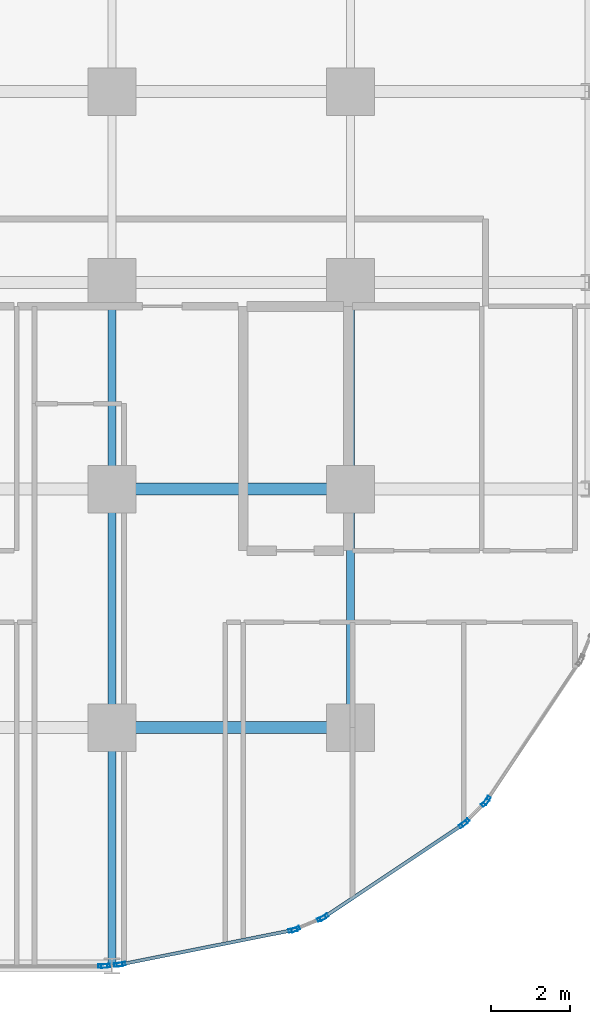
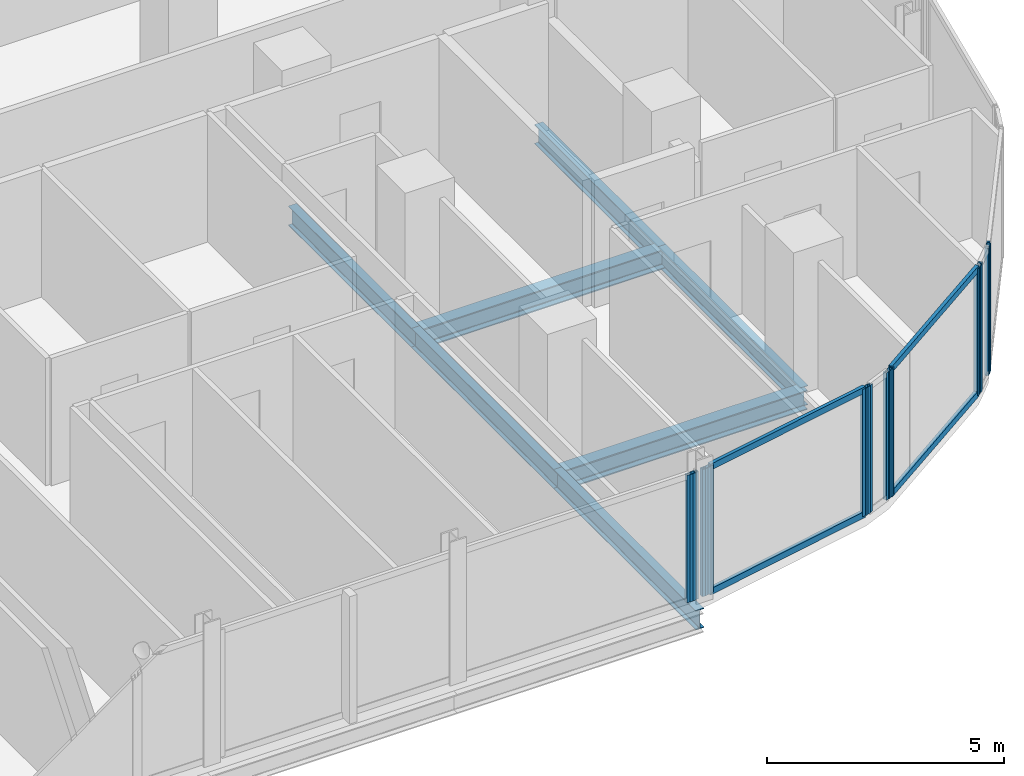
# One storey, part 10 of 34: 16 members, 7 beams, 7 elements without a shape of their own.
"""IFC4 building model written with IfcOpenShell, lengths in metres."""

from ifc_helpers import new_model, si_unit, direction, frame, origin, origin_2d, place, context, subcontext, project, spatial, hollow_rectangle, i_section, extrude, material, layer, layer_set, material_profile, profile_set, type_object, element, aggregate, save


model = new_model("IFC4")

# Units and contexts
model_context = context("Model", 3, precision=1e-05, world=origin(), true_north=direction((0.0, 1.0)))
body_context = subcontext(model_context, "Body", "Model", "MODEL_VIEW")
ifc_project = project(units=[si_unit("LENGTHUNIT", "METRE"), si_unit("AREAUNIT", "SQUARE_METRE"), si_unit("VOLUMEUNIT", "CUBIC_METRE"), si_unit("PLANEANGLEUNIT", "RADIAN"), si_unit("MASSUNIT", "GRAM", prefix="KILO")], contexts=[model_context])

# Site, building, storey
site_placement = place(None, origin())
site = spatial("IfcSite", under=ifc_project, at=site_placement, CompositionType="ELEMENT")
building_placement = place(site_placement, origin())
building = spatial("IfcBuilding", under=site, at=building_placement, Name="Keshet Zoharim Tower", CompositionType="ELEMENT")
storey_placement = place(building_placement, frame((0.0, 0.0, 77.5)))
storey = spatial("IfcBuildingStorey", under=building, at=storey_placement, Name="L18", CompositionType="ELEMENT", Elevation=77.5)

# Beams
ifc_material_1 = material(Name="Steel S355", Category="steel")
ifc_material_profile_1 = material_profile(ifc_material_1, i_section(OverallWidth=0.199951171875, OverallDepth=0.5, WebThickness=0.01025390625, FlangeThickness=0.01611328125, FilletRadius=0.02099609375, at=origin_2d()), Name="IPE500")
ifc_profile_set_1 = profile_set([ifc_material_profile_1], Name="Steel S355")
beam_type_1 = type_object("IfcBeamType", Name="BM-PRI-IP500", PredefinedType="BEAM", material=ifc_profile_set_1)
for number, where, z_axis, x_axis, name in (
    (1, (57.0, 0.699951171875, -0.56494140625), (0.0, 1.0, 0.0), (-1.0, 0.0, 0.0), "L18 Primary Girder Y-013"),
    (2, (57.0, 6.699951171875, -0.56494140625), (0.0, 1.0, 0.0), (-1.0, 0.0, 0.0), "L18 Primary Girder Y-014"),
):
    element("IfcBeam", number, at=place(storey_placement, frame(where, z_axis=z_axis, x_axis=x_axis)), inside=storey, type_object=beam_type_1, Name=name, PredefinedType="BEAM", context=body_context, shape_type="SweptSolid", body=[
        extrude(i_section(OverallWidth=0.199951171875, OverallDepth=0.5, WebThickness=0.01025390625, FlangeThickness=0.01611328125, FilletRadius=0.02099609375, at=origin_2d()), origin(), (0.0, 0.0, 1.0), 6.0),
    ])
beam_1_placement = place(storey_placement, frame((57.0, 12.699951171875, -0.56494140625), z_axis=(0.0, 1.0, 0.0), x_axis=(-1.0, 0.0, 0.0)))
element("IfcBeam", 3, at=beam_1_placement, inside=storey, type_object=beam_type_1, Name="L18 Primary Girder Y-015", PredefinedType="BEAM", context=body_context, shape_type="SweptSolid", body=[
    extrude(i_section(OverallWidth=0.199951171875, OverallDepth=0.5, WebThickness=0.01025390625, FlangeThickness=0.01611328125, FilletRadius=0.02099609375, at=origin_2d()), origin(), (0.0, 0.0, 1.0), 5.199951171875),
])
beam_2_placement = place(storey_placement, frame((63.0, 6.699951171875, -0.56494140625), z_axis=(0.0, 1.0, 0.0), x_axis=(-1.0, 0.0, 0.0)))
element("IfcBeam", 4, at=beam_2_placement, inside=storey, type_object=beam_type_1, Name="L18 Primary Girder Y-018", PredefinedType="BEAM", context=body_context, shape_type="SweptSolid", body=[
    extrude(i_section(OverallWidth=0.199951171875, OverallDepth=0.5, WebThickness=0.01025390625, FlangeThickness=0.01611328125, FilletRadius=0.02099609375, at=origin_2d()), origin(), (0.0, 0.0, 1.0), 6.0),
])
beam_3_placement = place(storey_placement, frame((63.0, 12.699951171875, -0.56494140625), z_axis=(0.0, 1.0, 0.0), x_axis=(-1.0, 0.0, 0.0)))
element("IfcBeam", 5, at=beam_3_placement, inside=storey, type_object=beam_type_1, Name="L18 Primary Girder Y-019", PredefinedType="BEAM", context=body_context, shape_type="SweptSolid", body=[
    extrude(i_section(OverallWidth=0.199951171875, OverallDepth=0.5, WebThickness=0.01025390625, FlangeThickness=0.01611328125, FilletRadius=0.02099609375, at=origin_2d()), origin(), (0.0, 0.0, 1.0), 5.199951171875),
])
ifc_material_profile_2 = material_profile(ifc_material_1, i_section(OverallWidth=0.300048828125, OverallDepth=0.5, WebThickness=0.014404296875, FlangeThickness=0.028076171875, FilletRadius=0.027099609375, at=origin_2d()), Name="HEB500")
ifc_profile_set_2 = profile_set([ifc_material_profile_2], Name="Steel S355")
beam_type_2 = type_object("IfcBeamType", Name="BM-WEB-HB500", PredefinedType="BEAM", material=ifc_profile_set_2)
for number, where, z_axis, x_axis, name in (
    (6, (57.0, 6.699951171875, -0.56494140625), (1.0, 0.0, 0.0), (0.0, 1.0, 0.0), "L18 Primary Girder X-010"),
    (7, (57.0, 12.699951171875, -0.56494140625), (1.0, 0.0, 0.0), (0.0, 1.0, 0.0), "L18 Primary Girder X-013"),
):
    element("IfcBeam", number, at=place(storey_placement, frame(where, z_axis=z_axis, x_axis=x_axis)), inside=storey, type_object=beam_type_2, Name=name, PredefinedType="BEAM", context=body_context, shape_type="SweptSolid", body=[
        extrude(i_section(OverallWidth=0.300048828125, OverallDepth=0.5, WebThickness=0.014404296875, FlangeThickness=0.028076171875, FilletRadius=0.027099609375, at=origin_2d()), origin(), (0.0, 0.0, 1.0), 6.0),
    ])

# Curtain wall, member
ifc_material_2 = material(Name="Aluminium 6063-T6", Category="aluminium")
ifc_layer = layer(ifc_material_2, 0.179931640625)
ifc_layer_set = layer_set([ifc_layer], Name="Aluminium 6063-T6")
curtain_wall_type = type_object("IfcCurtainWallType", Name="CW-SYS-01", PredefinedType="NOTDEFINED", material=ifc_layer_set)
curtain_wall_1_placement = place(storey_placement, origin())
curtain_wall_1 = element("IfcCurtainWall", 8, at=curtain_wall_1_placement, inside=storey, type_object=curtain_wall_type, Name="L18 Unitised Curtain Wall 20", PredefinedType="NOTDEFINED")
ifc_material_profile_3 = material_profile(ifc_material_2, hollow_rectangle(XDim=0.090087890625, YDim=0.219970703125, WallThickness=0.0048828125, at=origin_2d()), Name="MUL-90x220")
ifc_profile_set_3 = profile_set([ifc_material_profile_3], Name="Aluminium 6063-T6")
member_type_1 = type_object("IfcMemberType", Name="CWM-M22", PredefinedType="MULLION", material=ifc_profile_set_3)
member_1_placement = place(storey_placement, frame((66.432373046875, 4.8671875, 0.0), z_axis=(0.0, 0.0, 1.0), x_axis=(0.831474282335, -0.555563243758, 0.0)))
member_1 = element("IfcMember", 9, at=member_1_placement, type_object=member_type_1, Name="CW-01 mullion 2", PredefinedType="MULLION", context=body_context, shape_type="SweptSolid", body=[
    extrude(hollow_rectangle(XDim=0.090087890625, YDim=0.219970703125, WallThickness=0.0048828125, at=origin_2d()), origin(), (0.0, 0.0, 1.0), 3.280029296875),
])
aggregate(curtain_wall_1, [member_1])

# Curtain wall, members
curtain_wall_2_placement = place(storey_placement, origin())
curtain_wall_2 = element("IfcCurtainWall", 10, at=curtain_wall_2_placement, inside=storey, type_object=curtain_wall_type, Name="L18 Unitised Curtain Wall 21", PredefinedType="NOTDEFINED")
member_2_placement = place(storey_placement, frame((66.38818359375, 4.813232421875, 0.0), z_axis=(0.0, 0.0, 1.0), x_axis=(0.707106781187, -0.707106781187, 0.0)))
member_2 = element("IfcMember", 11, at=member_2_placement, type_object=member_type_1, Name="CW-01 mullion 1", PredefinedType="MULLION", context=body_context, shape_type="SweptSolid", body=[
    extrude(hollow_rectangle(XDim=0.090087890625, YDim=0.219970703125, WallThickness=0.0048828125, at=origin_2d()), origin(), (0.0, 0.0, 1.0), 3.280029296875),
])
member_3_placement = place(storey_placement, frame((65.88671875, 4.311767578125, 0.0), z_axis=(0.0, 0.0, 1.0), x_axis=(0.707106781187, -0.707106781187, 0.0)))
member_3 = element("IfcMember", 12, at=member_3_placement, type_object=member_type_1, Name="CW-01 mullion 2", PredefinedType="MULLION", context=body_context, shape_type="SweptSolid", body=[
    extrude(hollow_rectangle(XDim=0.090087890625, YDim=0.219970703125, WallThickness=0.0048828125, at=origin_2d()), origin(), (0.0, 0.0, 1.0), 3.280029296875),
])
aggregate(curtain_wall_2, [member_2, member_3])

curtain_wall_3_placement = place(storey_placement, origin())
curtain_wall_3 = element("IfcCurtainWall", 13, at=curtain_wall_3_placement, inside=storey, type_object=curtain_wall_type, Name="L18 Unitised Curtain Wall 22", PredefinedType="NOTDEFINED")
member_4_placement = place(storey_placement, frame((65.8330078125, 4.267578125, 0.0), z_axis=(0.0, 0.0, 1.0), x_axis=(0.555563243758, -0.831474282335, 0.0)))
member_4 = element("IfcMember", 14, at=member_4_placement, type_object=member_type_1, Name="CW-01 mullion 1", PredefinedType="MULLION", context=body_context, shape_type="SweptSolid", body=[
    extrude(hollow_rectangle(XDim=0.090087890625, YDim=0.219970703125, WallThickness=0.0048828125, at=origin_2d()), origin(), (0.0, 0.0, 1.0), 3.280029296875),
])
member_5_placement = place(storey_placement, frame((62.335205078125, 1.930419921875, 0.0), z_axis=(0.0, 0.0, 1.0), x_axis=(0.555563243758, -0.831474282335, 0.0)))
member_5 = element("IfcMember", 15, at=member_5_placement, type_object=member_type_1, Name="CW-01 mullion 2", PredefinedType="MULLION", context=body_context, shape_type="SweptSolid", body=[
    extrude(hollow_rectangle(XDim=0.090087890625, YDim=0.219970703125, WallThickness=0.0048828125, at=origin_2d()), origin(), (0.0, 0.0, 1.0), 3.280029296875),
])

curtain_wall_4_placement = place(storey_placement, origin())
curtain_wall_4 = element("IfcCurtainWall", 16, at=curtain_wall_4_placement, inside=storey, type_object=curtain_wall_type, Name="L18 Unitised Curtain Wall 23", PredefinedType="NOTDEFINED")
member_6_placement = place(storey_placement, frame((62.273681640625, 1.897705078125, 0.0), z_axis=(0.0, 0.0, 1.0), x_axis=(0.383068349739, -0.923720000557, 0.0)))
member_6 = element("IfcMember", 17, at=member_6_placement, type_object=member_type_1, Name="CW-01 mullion 1", PredefinedType="MULLION", context=body_context, shape_type="SweptSolid", body=[
    extrude(hollow_rectangle(XDim=0.090087890625, YDim=0.219970703125, WallThickness=0.0048828125, at=origin_2d()), origin(), (0.0, 0.0, 1.0), 3.280029296875),
])
member_7_placement = place(storey_placement, frame((61.617431640625, 1.62548828125, 0.0), z_axis=(0.0, 0.0, 1.0), x_axis=(0.383068349739, -0.923720000557, 0.0)))
member_7 = element("IfcMember", 18, at=member_7_placement, type_object=member_type_1, Name="CW-01 mullion 2", PredefinedType="MULLION", context=body_context, shape_type="SweptSolid", body=[
    extrude(hollow_rectangle(XDim=0.090087890625, YDim=0.219970703125, WallThickness=0.0048828125, at=origin_2d()), origin(), (0.0, 0.0, 1.0), 3.280029296875),
])
aggregate(curtain_wall_4, [member_6, member_7])

curtain_wall_5_placement = place(storey_placement, origin())
curtain_wall_5 = element("IfcCurtainWall", 19, at=curtain_wall_5_placement, inside=storey, type_object=curtain_wall_type, Name="L18 Unitised Curtain Wall 24", PredefinedType="NOTDEFINED")
member_8_placement = place(storey_placement, frame((61.55078125, 1.605224609375, 0.0), z_axis=(0.0, 0.0, 1.0), x_axis=(0.195171279072, -0.98076917357, 0.0)))
member_8 = element("IfcMember", 20, at=member_8_placement, type_object=member_type_1, Name="CW-01 mullion 1", PredefinedType="MULLION", context=body_context, shape_type="SweptSolid", body=[
    extrude(hollow_rectangle(XDim=0.090087890625, YDim=0.219970703125, WallThickness=0.0048828125, at=origin_2d()), origin(), (0.0, 0.0, 1.0), 3.280029296875),
])
member_9_placement = place(storey_placement, frame((57.227294921875, 0.744873046875, 0.0), z_axis=(0.0, 0.0, 1.0), x_axis=(0.195171279072, -0.98076917357, 0.0)))
member_9 = element("IfcMember", 21, at=member_9_placement, type_object=member_type_1, Name="CW-01 mullion 2", PredefinedType="MULLION", context=body_context, shape_type="SweptSolid", body=[
    extrude(hollow_rectangle(XDim=0.090087890625, YDim=0.219970703125, WallThickness=0.0048828125, at=origin_2d()), origin(), (0.0, 0.0, 1.0), 3.280029296875),
])

curtain_wall_6_placement = place(storey_placement, origin())
curtain_wall_6 = element("IfcCurtainWall", 22, at=curtain_wall_6_placement, inside=storey, type_object=curtain_wall_type, Name="L18 Unitised Curtain Wall 25", PredefinedType="NOTDEFINED")
member_10_placement = place(storey_placement, frame((57.158203125, 0.734619140625, 0.0), z_axis=(0.0, 0.0, 1.0), x_axis=(0.096976648633, -0.995286657009, 0.0)))
member_10 = element("IfcMember", 23, at=member_10_placement, type_object=member_type_1, Name="CW-01 mullion 1", PredefinedType="MULLION", context=body_context, shape_type="SweptSolid", body=[
    extrude(hollow_rectangle(XDim=0.090087890625, YDim=0.219970703125, WallThickness=0.0048828125, at=origin_2d()), origin(), (0.0, 0.0, 1.0), 3.280029296875),
])
member_11_placement = place(storey_placement, frame((56.837890625, 0.703369140625, 0.0), z_axis=(0.0, 0.0, 1.0), x_axis=(0.096976648633, -0.995286657009, 0.0)))
member_11 = element("IfcMember", 24, at=member_11_placement, type_object=member_type_1, Name="CW-01 mullion 2", PredefinedType="MULLION", context=body_context, shape_type="SweptSolid", body=[
    extrude(hollow_rectangle(XDim=0.090087890625, YDim=0.219970703125, WallThickness=0.0048828125, at=origin_2d()), origin(), (0.0, 0.0, 1.0), 3.280029296875),
])
aggregate(curtain_wall_6, [member_10, member_11])

# Curtain wall, member
curtain_wall_7_placement = place(storey_placement, origin())
curtain_wall_7 = element("IfcCurtainWall", 25, at=curtain_wall_7_placement, inside=storey, type_object=curtain_wall_type, Name="L18 Unitised Curtain Wall 26", PredefinedType="NOTDEFINED")
member_12_placement = place(storey_placement, frame((56.76806640625, 0.699951171875, 0.0), z_axis=(0.0, 0.0, 1.0), x_axis=(0.0, -1.0, 0.0)))
member_12 = element("IfcMember", 26, at=member_12_placement, type_object=member_type_1, Name="CW-01 mullion 1", PredefinedType="MULLION", context=body_context, shape_type="SweptSolid", body=[
    extrude(hollow_rectangle(XDim=0.090087890625, YDim=0.219970703125, WallThickness=0.0048828125, at=origin_2d()), origin(), (0.0, 0.0, 1.0), 3.280029296875),
])
aggregate(curtain_wall_7, [member_12])

# Member
ifc_material_profile_4 = material_profile(ifc_material_2, hollow_rectangle(XDim=0.0849609375, YDim=0.159912109375, WallThickness=0.00439453125, at=origin_2d()), Name="TRN-85x160")
ifc_profile_set_4 = profile_set([ifc_material_profile_4], Name="Aluminium 6063-T6")
member_type_2 = type_object("IfcMemberType", Name="CWT-T16", PredefinedType="USERDEFINED", material=ifc_profile_set_4)
member_13_placement = place(storey_placement, frame((65.8037109375, 4.248046875, 0.034912109375), z_axis=(-0.831477809106, -0.55555796544, 0.0), x_axis=(0.55555796544, -0.831477809106, 0.0)))
member_13 = element("IfcMember", 27, at=member_13_placement, type_object=member_type_2, Name="CW-01 transom 1.1", ObjectType="TRANSOM", PredefinedType="USERDEFINED", context=body_context, shape_type="SweptSolid", body=[
    extrude(hollow_rectangle(XDim=0.0849609375, YDim=0.159912109375, WallThickness=0.00439453125, at=origin_2d()), origin(), (0.0, 0.0, 1.0), 4.136474609375),
])

member_14_placement = place(storey_placement, frame((65.8037109375, 4.248046875, 3.2451171875), z_axis=(-0.831477809106, -0.55555796544, 0.0), x_axis=(0.55555796544, -0.831477809106, 0.0)))
member_14 = element("IfcMember", 28, at=member_14_placement, type_object=member_type_2, Name="CW-01 transom 1.2", ObjectType="TRANSOM", PredefinedType="USERDEFINED", context=body_context, shape_type="SweptSolid", body=[
    extrude(hollow_rectangle(XDim=0.0849609375, YDim=0.159912109375, WallThickness=0.00439453125, at=origin_2d()), origin(), (0.0, 0.0, 1.0), 4.136474609375),
])

aggregate(curtain_wall_3, [member_4, member_5, member_13, member_14])

member_15_placement = place(storey_placement, frame((61.516357421875, 1.598388671875, 0.034912109375), z_axis=(-0.980768540739, -0.195174459131, 0.0), x_axis=(0.195174459131, -0.980768540739, 0.0)))
member_15 = element("IfcMember", 29, at=member_15_placement, type_object=member_type_2, Name="CW-01 transom 1.1", ObjectType="TRANSOM", PredefinedType="USERDEFINED", context=body_context, shape_type="SweptSolid", body=[
    extrude(hollow_rectangle(XDim=0.0849609375, YDim=0.159912109375, WallThickness=0.00439453125, at=origin_2d()), origin(), (0.0, 0.0, 1.0), 4.338134765625),
])

member_16_placement = place(storey_placement, frame((61.516357421875, 1.598388671875, 3.2451171875), z_axis=(-0.980768540739, -0.195174459131, 0.0), x_axis=(0.195174459131, -0.980768540739, 0.0)))
member_16 = element("IfcMember", 30, at=member_16_placement, type_object=member_type_2, Name="CW-01 transom 1.2", ObjectType="TRANSOM", PredefinedType="USERDEFINED", context=body_context, shape_type="SweptSolid", body=[
    extrude(hollow_rectangle(XDim=0.0849609375, YDim=0.159912109375, WallThickness=0.00439453125, at=origin_2d()), origin(), (0.0, 0.0, 1.0), 4.338134765625),
])

aggregate(curtain_wall_5, [member_8, member_9, member_15, member_16])

save(model, "model.ifc")
